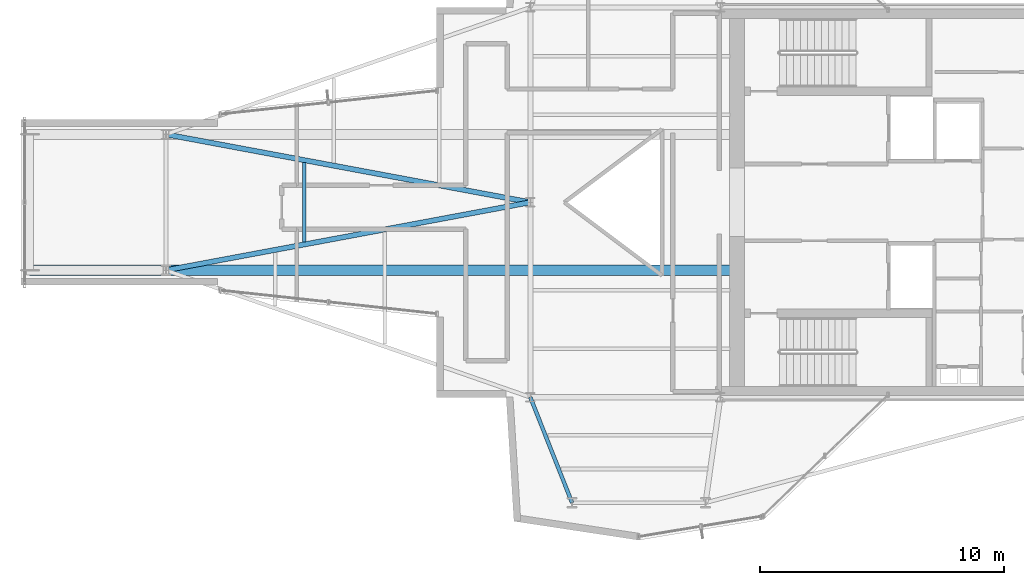
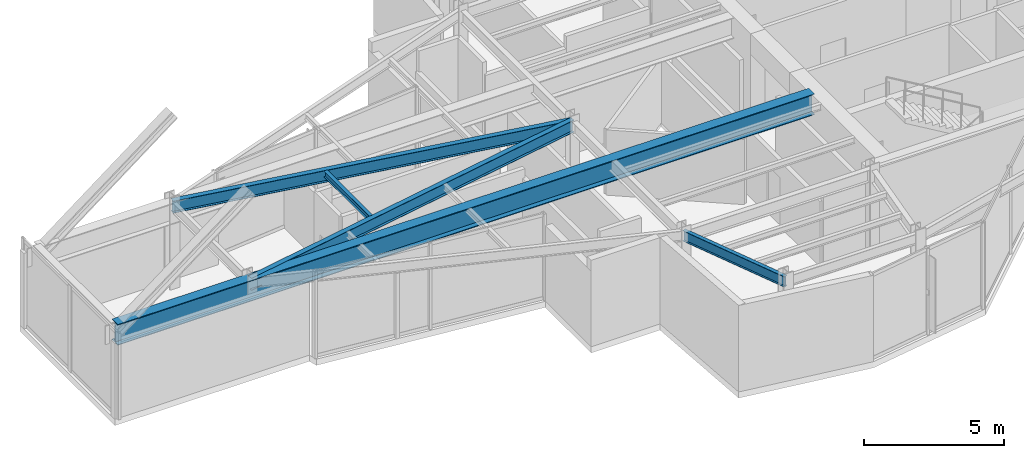
# One storey, part 3 of 16: 5 beams.
"""IFC4 building model written with IfcOpenShell, lengths in metres."""

from ifc_helpers import new_model, si_unit, direction, frame, origin, origin_2d, place, context, subcontext, project, spatial, i_section, extrude, material, material_profile, profile_set, type_object, element, save


model = new_model("IFC4")

# Units and contexts
model_context = context("Model", 3, precision=1e-05, world=origin(), true_north=direction((0.0, 1.0)))
body_context = subcontext(model_context, "Body", "Model", "MODEL_VIEW")
ifc_project = project(units=[si_unit("LENGTHUNIT", "METRE"), si_unit("AREAUNIT", "SQUARE_METRE"), si_unit("VOLUMEUNIT", "CUBIC_METRE"), si_unit("PLANEANGLEUNIT", "RADIAN"), si_unit("MASSUNIT", "GRAM", prefix="KILO")], contexts=[model_context])

# Site, building, storey
site_placement = place(None, origin())
site = spatial("IfcSite", under=ifc_project, at=site_placement, CompositionType="ELEMENT")
building_placement = place(site_placement, origin())
building = spatial("IfcBuilding", under=site, at=building_placement, Name="Veymaron Broadcast Tower", CompositionType="ELEMENT")
storey_placement = place(building_placement, frame((0.0, 0.0, 315.449951171875)))
storey = spatial("IfcBuildingStorey", under=building, at=storey_placement, Name="L74", CompositionType="ELEMENT", Elevation=315.449951171875)

# Beams
ifc_material = material(Name="Structural steel ASTM A992 Gr 50", Category="steel")
ifc_material_profile_1 = material_profile(ifc_material, i_section(OverallWidth=0.41796875, OverallDepth=0.912109375, WebThickness=0.019287109375, FlangeThickness=0.031982421875, at=origin_2d()), Name="W920X342")
ifc_profile_set_1 = profile_set([ifc_material_profile_1], Name="Structural steel ASTM A992 Gr 50")
beam_type_1 = type_object("IfcBeamType", Name="BM-CL1", PredefinedType="BEAM", material=ifc_profile_set_1)
beam_1_placement = place(storey_placement, frame((39.5, 21.2119140625, 3.323974609375), z_axis=(-1.0, 0.0, 0.0), x_axis=(0.0, -1.0, 0.0)))
element("IfcBeam", 1, at=beam_1_placement, inside=storey, type_object=beam_type_1, Name="L74 Sky-Lounge Cantilever Backspan Girder S", PredefinedType="BEAM", context=body_context, shape_type="SweptSolid", body=[
    extrude(i_section(OverallWidth=0.41796875, OverallDepth=0.912109375, WebThickness=0.019287109375, FlangeThickness=0.031982421875, at=origin_2d()), origin(), (0.0, 0.0, 1.0), 28.84130859375),
])
ifc_material_profile_2 = material_profile(ifc_material, i_section(OverallWidth=0.208984375, OverallDepth=0.528076171875, WebThickness=0.009521484375, FlangeThickness=0.01318359375, at=origin_2d()), Name="W530X82")
ifc_profile_set_2 = profile_set([ifc_material_profile_2], Name="Structural steel ASTM A992 Gr 50")
beam_type_2 = type_object("IfcBeamType", Name="BM-FG4", PredefinedType="BEAM", material=ifc_profile_set_2)
for number, where, z_axis, x_axis, name in (
    (2, (16.24560546875, 21.2119140625, 3.51611328125), (0.98306044598, 0.18328163997, 0.0), (-0.18328163997, 0.98306044598, 0.0), "L74 primary structural floor girder"),
    (3, (16.24560546875, 26.7880859375, 3.51611328125), (0.98306044598, -0.18328163997, 0.0), (0.18328163997, 0.98306044598, 0.0), "L74 primary structural floor girder"),
):
    element("IfcBeam", number, at=place(storey_placement, frame(where, z_axis=z_axis, x_axis=x_axis)), inside=storey, type_object=beam_type_2, Name=name, PredefinedType="BEAM", context=body_context, shape_type="SweptSolid", body=[
        extrude(i_section(OverallWidth=0.208984375, OverallDepth=0.528076171875, WebThickness=0.009521484375, FlangeThickness=0.01318359375, at=origin_2d()), origin(), (0.0, 0.0, 1.0), 15.2119140625),
    ])
ifc_material_profile_3 = material_profile(ifc_material, i_section(OverallWidth=0.14599609375, OverallDepth=0.258056640625, WebThickness=0.006103515625, FlangeThickness=0.009033203125, at=origin_2d()), Name="W250X33")
ifc_profile_set_3 = profile_set([ifc_material_profile_3], Name="Structural steel ASTM A992 Gr 50")
beam_type_3 = type_object("IfcBeamType", Name="BM-JS4", PredefinedType="JOIST", material=ifc_profile_set_3)
beam_2_placement = place(storey_placement, frame((21.92822265625, 22.371337890625, 3.651123046875), z_axis=(0.0, 1.0, 0.0), x_axis=(-1.0, 0.0, 0.0)))
element("IfcBeam", 4, at=beam_2_placement, inside=storey, type_object=beam_type_3, Name="L74 Arm-A secondary joist 1M", PredefinedType="JOIST", context=body_context, shape_type="SweptSolid", body=[
    extrude(i_section(OverallWidth=0.14599609375, OverallDepth=0.258056640625, WebThickness=0.006103515625, FlangeThickness=0.009033203125, at=origin_2d()), origin(), (0.0, 0.0, 1.0), 3.25732421875),
])
ifc_material_profile_4 = material_profile(ifc_material, i_section(OverallWidth=0.154052734375, OverallDepth=0.458984375, WebThickness=0.009033203125, FlangeThickness=0.015380859375, at=origin_2d()), Name="W460X68")
ifc_profile_set_4 = profile_set([ifc_material_profile_4], Name="Structural steel ASTM A992 Gr 50")
beam_type_4 = type_object("IfcBeamType", Name="BM-SP2", PredefinedType="SPANDREL", material=ifc_profile_set_4)
beam_3_placement = place(storey_placement, frame((31.199951171875, 16.0, 3.550537109375), z_axis=(0.368141972335, -0.929769588772, 0.0), x_axis=(0.929769588772, 0.368141972335, 0.0)))
element("IfcBeam", 5, at=beam_3_placement, inside=storey, type_object=beam_type_4, Name="L74 primary structural floor girder", PredefinedType="SPANDREL", context=body_context, shape_type="SweptSolid", body=[
    extrude(i_section(OverallWidth=0.154052734375, OverallDepth=0.458984375, WebThickness=0.009033203125, FlangeThickness=0.015380859375, at=origin_2d()), origin(), (0.0, 0.0, 1.0), 4.65478515625),
])

save(model, "model.ifc")
